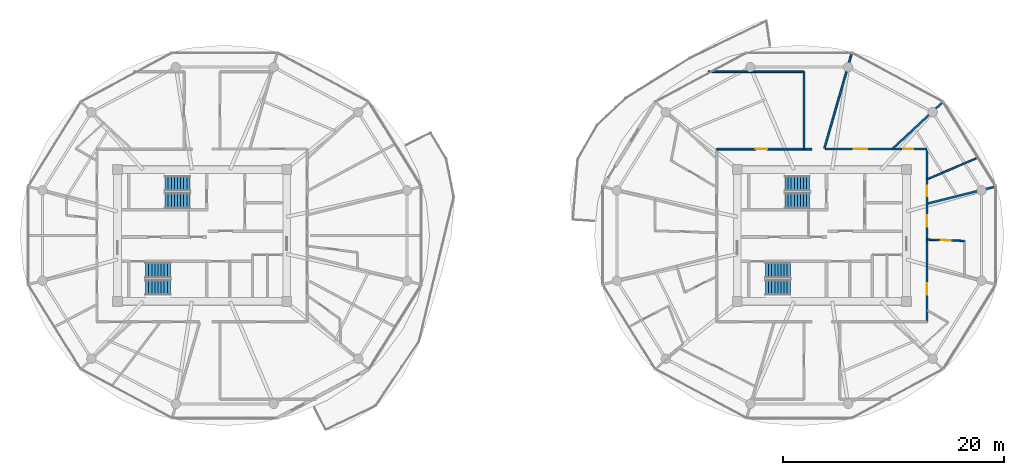
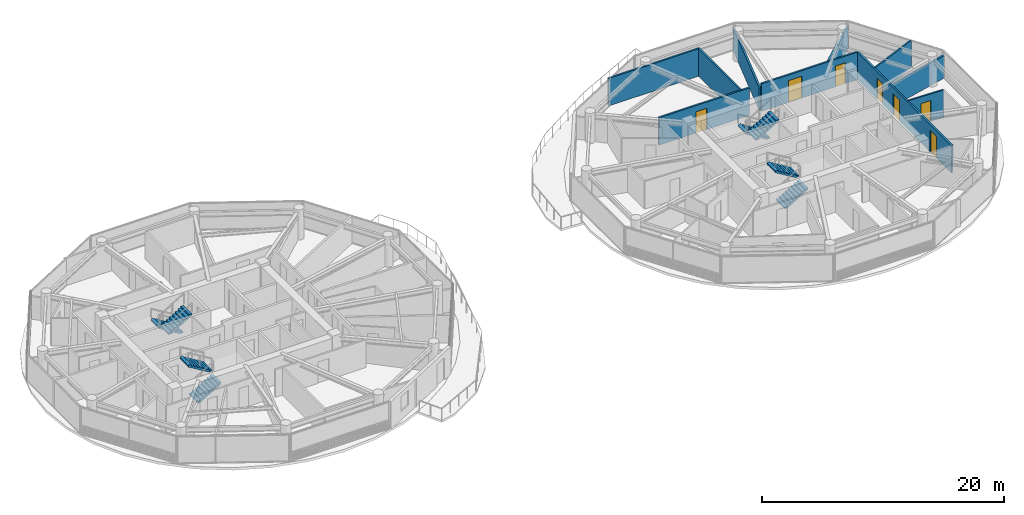
# One storey, part 18 of 22: 10 walls, 8 stair flights, 7 doors, 7 openings, 4 elements without a shape of their own.
"""IFC4 building model written with IfcOpenShell, lengths in metres."""

from ifc_helpers import new_model, si_unit, direction, frame, frame_2d, origin, place, context, subcontext, project, spatial, polyline, rectangle, outline, extrude, source, transform, mapped, material, layer, layer_set, type_object, type_shapes, element, fill, aggregate, save


model = new_model("IFC4")

# Units and contexts
model_context = context("Model", 3, precision=1e-05, world=origin(), true_north=direction((0.0, 1.0)))
body_context = subcontext(model_context, "Body", "Model", "MODEL_VIEW")
ifc_project = project(units=[si_unit("LENGTHUNIT", "METRE"), si_unit("AREAUNIT", "SQUARE_METRE"), si_unit("VOLUMEUNIT", "CUBIC_METRE"), si_unit("PLANEANGLEUNIT", "RADIAN"), si_unit("MASSUNIT", "GRAM", prefix="KILO")], contexts=[model_context])

# Site, building, storey
site_placement = place(None, origin())
site = spatial("IfcSite", under=ifc_project, at=site_placement, CompositionType="ELEMENT")
building_placement = place(site_placement, origin())
building = spatial("IfcBuilding", under=site, at=building_placement, Name="Norrkilde Senior Care Towers", CompositionType="ELEMENT")
storey_placement = place(building_placement, frame((0.0, 0.0, 123.699951171875)))
storey = spatial("IfcBuildingStorey", under=building, at=storey_placement, Name="L38", CompositionType="ELEMENT", Elevation=123.699951171875)

# Wall, openings, doors
ifc_material_1 = material(Name="Gypsum Acoustic Board")
ifc_layer_1 = layer(ifc_material_1, 0.1650390625)
ifc_layer_set_1 = layer_set([ifc_layer_1], Name="Gypsum Acoustic Board")
wall_type_1 = type_object("IfcWallType", Name="Corridor Rated Partition 165", PredefinedType="PARTITIONING", material=ifc_layer_set_1)
shared_shape_1 = source(origin(), body_context, "Body", "SweptSolid", [
    extrude(rectangle(XDim=15.60009765625, YDim=0.1650390625, at=frame_2d((7.800048828125, 0.0))), origin(), (0.0, 0.0, 1.0), 2.775146484375),
])
wall_1_placement = place(storey_placement, frame((37.5, 7.800048828125, 0.0), z_axis=(0.0, 0.0, 1.0), x_axis=(0.0, -1.0, 0.0)))
wall_1 = element("IfcWall", 1, at=wall_1_placement, inside=storey, type_object=wall_type_1, Name="WL-INT-L38-E-CRW-E-0", PredefinedType="PARTITIONING", context=body_context, shape_type="MappedRepresentation", body=[
    mapped(shared_shape_1, transform((0.0, 0.0, 0.0), x_axis=(1.0, 0.0, 0.0), y_axis=(0.0, 1.0, 0.0), z_axis=(0.0, 0.0, 1.0), scale=1.0)),
])
opening_1_placement = place(wall_1_placement, frame((12.09423828125, 0.0, 0.0)))
opening_1 = element("IfcOpeningElement", 2, at=opening_1_placement, cuts=wall_1, Name="Opening D-06", PredefinedType="OPENING", context=body_context, shape_type="SweptSolid", body=[
    extrude(rectangle(XDim=1.050048828125, YDim=2.14990234375, at=frame_2d((0.52490234375, 1.074951171875))), frame((0.0, 0.092529296875, 0.0), z_axis=(0.0, -1.0, 0.0), x_axis=(1.0, 0.0, 0.0)), (0.0, 0.0, 1.0), 0.18505859375),
])
opening_2_placement = place(wall_1_placement, frame((5.971435546875, 0.0, 0.0)))
opening_2 = element("IfcOpeningElement", 3, at=opening_2_placement, cuts=wall_1, Name="Opening D-06", PredefinedType="OPENING", context=body_context, shape_type="SweptSolid", body=[
    extrude(rectangle(XDim=1.050048828125, YDim=2.14990234375, at=frame_2d((0.52490234375, 1.074951171875))), frame((0.0, 0.092529296875, 0.0), z_axis=(0.0, -1.0, 0.0), x_axis=(1.0, 0.0, 0.0)), (0.0, 0.0, 1.0), 0.18505859375),
])
opening_3_placement = place(wall_1_placement, frame((3.32373046875, 0.0, 0.0)))
opening_3 = element("IfcOpeningElement", 4, at=opening_3_placement, cuts=wall_1, Name="Opening D-08", PredefinedType="OPENING", context=body_context, shape_type="SweptSolid", body=[
    extrude(rectangle(XDim=0.919921875, YDim=2.10009765625, at=frame_2d((0.4599609375, 1.050048828125))), frame((0.0, 0.092529296875, 0.0), z_axis=(0.0, -1.0, 0.0), x_axis=(1.0, 0.0, 0.0)), (0.0, 0.0, 1.0), 0.18505859375),
])
ifc_material_2 = material(Name="Nordic Ash Timber", Category="wood")
door_type_1 = type_object("IfcDoorType", Name="Accessible Wet Room Door 920x2100", OperationType="NOTDEFINED", PredefinedType="DOOR", material=ifc_material_2)
shared_shape_2 = source(origin(), body_context, "Body", "SweptSolid", [
    extrude(rectangle(XDim=0.919921875, YDim=2.10009765625, at=frame_2d((0.4599609375, 1.050048828125))), frame((0.0, 0.02490234375, 0.0), z_axis=(0.0, -1.0, 0.0), x_axis=(1.0, 0.0, 0.0)), (0.0, 0.0, 1.0), 0.050048828125),
])
type_shapes(door_type_1, [shared_shape_2])
door_1_placement = place(opening_3_placement, frame((0.919921875, 0.0, 0.0), z_axis=(0.0, 0.0, 1.0), x_axis=(-1.0, 0.0, 0.0)))
door_1 = element("IfcDoor", 5, at=door_1_placement, inside=storey, type_object=door_type_1, Name="L38 Accessible Restroom Door", OperationType="SINGLE_SWING_LEFT", OverallHeight=2.10009765625, OverallWidth=0.919921875, PredefinedType="DOOR", context=body_context, shape_type="MappedRepresentation", body=[
    mapped(shared_shape_2, transform((0.0, 0.0, 0.0), x_axis=(1.0, 0.0, 0.0), y_axis=(0.0, 1.0, 0.0), z_axis=(0.0, 0.0, 1.0), scale=1.0)),
])
fill(opening_3, door_1)
door_type_2 = type_object("IfcDoorType", Name="Apartment Entrance Fire Door 1050x2150", OperationType="NOTDEFINED", PredefinedType="DOOR", material=ifc_material_2)
shared_shape_3 = source(origin(), body_context, "Body", "SweptSolid", [
    extrude(rectangle(XDim=1.050048828125, YDim=2.14990234375, at=frame_2d((0.52490234375, 1.074951171875))), frame((0.0, 0.02490234375, 0.0), z_axis=(0.0, -1.0, 0.0), x_axis=(1.0, 0.0, 0.0)), (0.0, 0.0, 1.0), 0.050048828125),
])
type_shapes(door_type_2, [shared_shape_3])
door_2_placement = place(opening_1_placement, frame((1.050048828125, 0.0, 0.0), z_axis=(0.0, 0.0, 1.0), x_axis=(-1.0, 0.0, 0.0)))
door_2 = element("IfcDoor", 6, at=door_2_placement, inside=storey, type_object=door_type_2, Name="L38 Studio 38D Entrance Door", OperationType="SINGLE_SWING_RIGHT", OverallHeight=2.14990234375, OverallWidth=1.050048828125, PredefinedType="DOOR", context=body_context, shape_type="MappedRepresentation", body=[
    mapped(shared_shape_3, transform((0.0, 0.0, 0.0), x_axis=(1.0, 0.0, 0.0), y_axis=(0.0, 1.0, 0.0), z_axis=(0.0, 0.0, 1.0), scale=1.0)),
])
fill(opening_1, door_2)
door_3_placement = place(opening_2_placement, frame((1.050048828125, 0.0, 0.0), z_axis=(0.0, 0.0, 1.0), x_axis=(-1.0, 0.0, 0.0)))
door_3 = element("IfcDoor", 7, at=door_3_placement, inside=storey, type_object=door_type_2, Name="L38 Studio 38E Entrance Door", OperationType="SINGLE_SWING_LEFT", OverallHeight=2.14990234375, OverallWidth=1.050048828125, PredefinedType="DOOR", context=body_context, shape_type="MappedRepresentation", body=[
    mapped(shared_shape_3, transform((0.0, 0.0, 0.0), x_axis=(1.0, 0.0, 0.0), y_axis=(0.0, 1.0, 0.0), z_axis=(0.0, 0.0, 1.0), scale=1.0)),
])
fill(opening_2, door_3)

# Walls
ifc_layer_2 = layer(ifc_material_1, 0.18994140625)
ifc_layer_set_2 = layer_set([ifc_layer_2], Name="Gypsum Acoustic Board")
wall_type_2 = type_object("IfcWallType", Name="Unit Demising Acoustic Wall 190", PredefinedType="PARTITIONING", material=ifc_layer_set_2)
shared_shape_4 = source(origin(), body_context, "Body", "SweptSolid", [
    extrude(rectangle(XDim=6.186767578125, YDim=0.18994140625, at=frame_2d((3.09326171875, 0.0))), origin(), (0.0, 0.0, 1.0), 2.275146484375),
])
wall_2_placement = place(storey_placement, frame((34.428955078125, 7.8798828125, 0.0), z_axis=(0.0, 0.0, 1.0), x_axis=(0.732501077882, 0.680765870841, 0.0)))
element("IfcWall", 8, at=wall_2_placement, inside=storey, type_object=wall_type_2, Name="WL-INT-L38-E-DEM-01-0", PredefinedType="PARTITIONING", context=body_context, shape_type="MappedRepresentation", body=[
    mapped(shared_shape_4, transform((0.0, 0.0, 0.0), x_axis=(1.0, 0.0, 0.0), y_axis=(0.0, 1.0, 0.0), z_axis=(0.0, 0.0, 1.0), scale=1.0)),
])
shared_shape_5 = source(origin(), body_context, "Body", "SweptSolid", [
    extrude(rectangle(XDim=6.33056640625, YDim=0.18994140625, at=frame_2d((3.165283203125, 0.0))), origin(), (0.0, 0.0, 1.0), 2.275146484375),
])
type_shapes(wall_type_2, [shared_shape_4, shared_shape_5])
wall_3_placement = place(storey_placement, frame((37.580078125, 2.89599609375, 0.0), z_axis=(0.0, 0.0, 1.0), x_axis=(0.97036440661, 0.241646267062, 0.0)))
element("IfcWall", 9, at=wall_3_placement, inside=storey, type_object=wall_type_2, Name="WL-INT-L38-E-DEM-00-0", PredefinedType="PARTITIONING", context=body_context, shape_type="MappedRepresentation", body=[
    mapped(shared_shape_5, transform((0.0, 0.0, 0.0), x_axis=(1.0, 0.0, 0.0), y_axis=(0.0, 1.0, 0.0), z_axis=(0.0, 0.0, 1.0), scale=1.0)),
])

# Wall, opening, door
shared_shape_6 = source(origin(), body_context, "Body", "SweptSolid", [
    extrude(rectangle(XDim=8.60009765625, YDim=0.1650390625, at=frame_2d((4.300048828125, 0.0))), origin(), (0.0, 0.0, 1.0), 2.775146484375),
])
wall_4_placement = place(storey_placement, frame((18.5, 7.800048828125, 0.0), z_axis=(0.0, 0.0, 1.0), x_axis=(1.0, 0.0, 0.0)))
wall_4 = element("IfcWall", 10, at=wall_4_placement, inside=storey, type_object=wall_type_1, Name="WL-INT-L38-E-CRW-N-0", PredefinedType="PARTITIONING", context=body_context, shape_type="MappedRepresentation", body=[
    mapped(shared_shape_6, transform((0.0, 0.0, 0.0), x_axis=(1.0, 0.0, 0.0), y_axis=(0.0, 1.0, 0.0), z_axis=(0.0, 0.0, 1.0), scale=1.0)),
])
opening_4_placement = place(wall_4_placement, frame((3.509033203125, 0.0, 0.0)))
opening_4 = element("IfcOpeningElement", 11, at=opening_4_placement, cuts=wall_4, Name="Opening D-06", PredefinedType="OPENING", context=body_context, shape_type="SweptSolid", body=[
    extrude(rectangle(XDim=1.050048828125, YDim=2.14990234375, at=frame_2d((0.52490234375, 1.074951171875))), frame((0.0, 0.092529296875, 0.0), z_axis=(0.0, -1.0, 0.0), x_axis=(1.0, 0.0, 0.0)), (0.0, 0.0, 1.0), 0.18505859375),
])
door_4_placement = place(opening_4_placement, frame((1.050048828125, 0.0, 0.0), z_axis=(0.0, 0.0, 1.0), x_axis=(-1.0, 0.0, 0.0)))
door_4 = element("IfcDoor", 12, at=door_4_placement, inside=storey, type_object=door_type_2, Name="L38 Reading Lounge NWL Door", OperationType="SINGLE_SWING_RIGHT", OverallHeight=2.14990234375, OverallWidth=1.050048828125, PredefinedType="DOOR", context=body_context, shape_type="MappedRepresentation", body=[
    mapped(shared_shape_3, transform((0.0, 0.0, 0.0), x_axis=(1.0, 0.0, 0.0), y_axis=(0.0, 1.0, 0.0), z_axis=(0.0, 0.0, 1.0), scale=1.0)),
])
fill(opening_4, door_4)

# Wall, openings, doors
shared_shape_7 = source(origin(), body_context, "Body", "SweptSolid", [
    extrude(rectangle(XDim=9.234130859375, YDim=0.1650390625, at=frame_2d((4.6171875, 0.0))), origin(), (0.0, 0.0, 1.0), 2.775146484375),
])
wall_5_placement = place(storey_placement, frame((28.265869140625, 7.800048828125, 0.0), z_axis=(0.0, 0.0, 1.0), x_axis=(1.0, 0.0, 0.0)))
wall_5 = element("IfcWall", 13, at=wall_5_placement, inside=storey, type_object=wall_type_1, Name="WL-INT-L38-E-CRW-N-1", PredefinedType="PARTITIONING", context=body_context, shape_type="MappedRepresentation", body=[
    mapped(shared_shape_7, transform((0.0, 0.0, 0.0), x_axis=(1.0, 0.0, 0.0), y_axis=(0.0, 1.0, 0.0), z_axis=(0.0, 0.0, 1.0), scale=1.0)),
])
opening_5_placement = place(wall_5_placement, frame((7.073974609375, 0.0, 0.0)))
opening_5 = element("IfcOpeningElement", 14, at=opening_5_placement, cuts=wall_5, Name="Opening D-08", PredefinedType="OPENING", context=body_context, shape_type="SweptSolid", body=[
    extrude(rectangle(XDim=0.919921875, YDim=2.10009765625, at=frame_2d((0.4599609375, 1.050048828125))), frame((0.0, 0.092529296875, 0.0), z_axis=(0.0, -1.0, 0.0), x_axis=(1.0, 0.0, 0.0)), (0.0, 0.0, 1.0), 0.18505859375),
])
opening_6_placement = place(wall_5_placement, frame((2.588134765625, 0.0, 0.0)))
opening_6 = element("IfcOpeningElement", 15, at=opening_6_placement, cuts=wall_5, Name="Opening D-05", PredefinedType="OPENING", context=body_context, shape_type="SweptSolid", body=[
    extrude(rectangle(XDim=1.25, YDim=2.199951171875, at=frame_2d((0.625, 1.10009765625))), frame((0.0, 0.092529296875, 0.0), z_axis=(0.0, -1.0, 0.0), x_axis=(1.0, 0.0, 0.0)), (0.0, 0.0, 1.0), 0.18505859375),
])
door_type_3 = type_object("IfcDoorType", Name="Care Bedroom Bariatric Door 1250x2200", OperationType="NOTDEFINED", PredefinedType="DOOR", material=ifc_material_2)
shared_shape_8 = source(origin(), body_context, "Body", "SweptSolid", [
    extrude(rectangle(XDim=1.25, YDim=2.199951171875, at=frame_2d((0.625, 1.10009765625))), frame((0.0, 0.02490234375, 0.0), z_axis=(0.0, -1.0, 0.0), x_axis=(1.0, 0.0, 0.0)), (0.0, 0.0, 1.0), 0.050048828125),
])
type_shapes(door_type_3, [shared_shape_8])
door_5_placement = place(opening_6_placement, frame((1.25, 0.0, 0.0), z_axis=(0.0, 0.0, 1.0), x_axis=(-1.0, 0.0, 0.0)))
door_5 = element("IfcDoor", 16, at=door_5_placement, inside=storey, type_object=door_type_3, Name="L38 Senior Wellness Library Lounge Door", OperationType="SINGLE_SWING_RIGHT", OverallHeight=2.199951171875, OverallWidth=1.25, PredefinedType="DOOR", context=body_context, shape_type="MappedRepresentation", body=[
    mapped(shared_shape_8, transform((0.0, 0.0, 0.0), x_axis=(1.0, 0.0, 0.0), y_axis=(0.0, 1.0, 0.0), z_axis=(0.0, 0.0, 1.0), scale=1.0)),
])
fill(opening_6, door_5)
door_6_placement = place(opening_5_placement, frame((0.919921875, 0.0, 0.0), z_axis=(0.0, 0.0, 1.0), x_axis=(-1.0, 0.0, 0.0)))
door_6 = element("IfcDoor", 17, at=door_6_placement, inside=storey, type_object=door_type_1, Name="L38 Public Restroom Door", OperationType="SINGLE_SWING_RIGHT", OverallHeight=2.10009765625, OverallWidth=0.919921875, PredefinedType="DOOR", context=body_context, shape_type="MappedRepresentation", body=[
    mapped(shared_shape_2, transform((0.0, 0.0, 0.0), x_axis=(1.0, 0.0, 0.0), y_axis=(0.0, 1.0, 0.0), z_axis=(0.0, 0.0, 1.0), scale=1.0)),
])
fill(opening_5, door_6)

# Walls
shared_shape_9 = source(origin(), body_context, "Body", "SweptSolid", [
    extrude(rectangle(XDim=8.9892578125, YDim=0.1650390625, at=frame_2d((4.49462890625, 0.0))), origin(), (0.0, 0.0, 1.0), 2.275146484375),
])
wall_6_placement = place(storey_placement, frame((28.221923828125, 7.8798828125, 0.0), z_axis=(0.0, 0.0, 1.0), x_axis=(0.27702323008, 0.960863221274, 0.0)))
element("IfcWall", 18, at=wall_6_placement, inside=storey, type_object=wall_type_1, Name="WL-INT-L38-E-DEM-02-0", PredefinedType="PARTITIONING", context=body_context, shape_type="MappedRepresentation", body=[
    mapped(shared_shape_9, transform((0.0, 0.0, 0.0), x_axis=(1.0, 0.0, 0.0), y_axis=(0.0, 1.0, 0.0), z_axis=(0.0, 0.0, 1.0), scale=1.0)),
])
shared_shape_10 = source(origin(), body_context, "Body", "SweptSolid", [
    extrude(rectangle(XDim=6.989990234375, YDim=0.1650390625, at=frame_2d((3.4951171875, 0.0))), origin(), (0.0, 0.0, 1.0), 2.775146484375),
])
wall_7_placement = place(storey_placement, frame((26.3798828125, 7.800048828125, 0.0), z_axis=(0.0, 0.0, 1.0), x_axis=(0.0, 1.0, 0.0)))
element("IfcWall", 19, at=wall_7_placement, inside=storey, type_object=wall_type_1, Name="WL-INT-L38-E-PKW-NWL", PredefinedType="PARTITIONING", context=body_context, shape_type="MappedRepresentation", body=[
    mapped(shared_shape_10, transform((0.0, 0.0, 0.0), x_axis=(1.0, 0.0, 0.0), y_axis=(0.0, 1.0, 0.0), z_axis=(0.0, 0.0, 1.0), scale=1.0)),
])
shared_shape_11 = source(origin(), body_context, "Body", "SweptSolid", [
    extrude(rectangle(XDim=8.66943359375, YDim=0.1650390625, at=frame_2d((4.334716796875, 0.0))), origin(), (0.0, 0.0, 1.0), 2.775146484375),
])
type_shapes(wall_type_1, [shared_shape_1, shared_shape_6, shared_shape_7, shared_shape_9, shared_shape_10, shared_shape_11])
wall_8_placement = place(storey_placement, frame((17.71044921875, 14.7900390625, 0.0), z_axis=(0.0, 0.0, 1.0), x_axis=(1.0, 0.0, 0.0)))
element("IfcWall", 20, at=wall_8_placement, inside=storey, type_object=wall_type_1, Name="WL-INT-L38-E-PKH-NWL-0", PredefinedType="PARTITIONING", context=body_context, shape_type="MappedRepresentation", body=[
    mapped(shared_shape_11, transform((0.0, 0.0, 0.0), x_axis=(1.0, 0.0, 0.0), y_axis=(0.0, 1.0, 0.0), z_axis=(0.0, 0.0, 1.0), scale=1.0)),
])

# Wall, opening, door
ifc_layer_3 = layer(ifc_material_1, 0.139892578125)
ifc_layer_set_3 = layer_set([ifc_layer_3], Name="Gypsum Acoustic Board")
wall_type_3 = type_object("IfcWallType", Name="En-suite Wet Room Wall 140", PredefinedType="PARTITIONING", material=ifc_layer_set_3)
shared_shape_12 = source(origin(), body_context, "Body", "SweptSolid", [
    extrude(rectangle(XDim=3.341552734375, YDim=0.139892578125, at=frame_2d((1.6708984375, 0.0))), origin(), (0.0, 0.0, 1.0), 2.775146484375),
])
wall_9_placement = place(storey_placement, frame((37.530029296875, -0.3779296875, 0.0), z_axis=(0.0, 0.0, 1.0), x_axis=(0.999468967034, -0.032585026264, 0.0)))
wall_9 = element("IfcWall", 21, at=wall_9_placement, inside=storey, type_object=wall_type_3, Name="WL-INT-L38-E-ES-11", PredefinedType="PARTITIONING", context=body_context, shape_type="MappedRepresentation", body=[
    mapped(shared_shape_12, transform((0.0, 0.0, 0.0), x_axis=(1.0, 0.0, 0.0), y_axis=(0.0, 1.0, 0.0), z_axis=(0.0, 0.0, 1.0), scale=1.0)),
])
opening_7_placement = place(wall_9_placement, frame((1.2109375, 0.0, 0.0)))
opening_7 = element("IfcOpeningElement", 22, at=opening_7_placement, cuts=wall_9, Name="Opening D-08", PredefinedType="OPENING", context=body_context, shape_type="SweptSolid", body=[
    extrude(rectangle(XDim=0.919921875, YDim=2.10009765625, at=frame_2d((0.4599609375, 1.050048828125))), frame((0.0, 0.079833984375, 0.0), z_axis=(0.0, -1.0, 0.0), x_axis=(1.0, 0.0, 0.0)), (0.0, 0.0, 1.0), 0.159912109375),
])
door_7_placement = place(opening_7_placement, origin())
door_7 = element("IfcDoor", 23, at=door_7_placement, inside=storey, type_object=door_type_1, Name="L38 Studio 38E Bathroom Door", OperationType="SINGLE_SWING_RIGHT", OverallHeight=2.10009765625, OverallWidth=0.919921875, PredefinedType="DOOR", context=body_context, shape_type="MappedRepresentation", body=[
    mapped(shared_shape_2, transform((0.0, 0.0, 0.0), x_axis=(1.0, 0.0, 0.0), y_axis=(0.0, 1.0, 0.0), z_axis=(0.0, 0.0, 1.0), scale=1.0)),
])
fill(opening_7, door_7)

# Wall
shared_shape_13 = source(origin(), body_context, "Body", "SweptSolid", [
    extrude(rectangle(XDim=4.96826171875, YDim=0.139892578125, at=frame_2d((2.484130859375, 0.0))), origin(), (0.0, 0.0, 1.0), 2.775146484375),
])
type_shapes(wall_type_3, [shared_shape_12, shared_shape_13])
wall_10_placement = place(storey_placement, frame((37.530029296875, 5.092041015625, 0.0), z_axis=(0.0, 0.0, 1.0), x_axis=(0.920595165864, 0.39051829738, 0.0)))
element("IfcWall", 24, at=wall_10_placement, inside=storey, type_object=wall_type_3, Name="WL-INT-L38-E-MID-00", PredefinedType="PARTITIONING", context=body_context, shape_type="MappedRepresentation", body=[
    mapped(shared_shape_13, transform((0.0, 0.0, 0.0), x_axis=(1.0, 0.0, 0.0), y_axis=(0.0, 1.0, 0.0), z_axis=(0.0, 0.0, 1.0), scale=1.0)),
])

# Stair, stair flights
ifc_material_3 = material(Name="Concrete C45/55", Category="concrete")
stair_type = type_object("IfcStairType", Name="Core Protected Dogleg Stair Typical 3050", PredefinedType="HALF_TURN_STAIR", material=ifc_material_3)
stair_1_placement = place(storey_placement, origin())
stair_1 = element("IfcStair", 25, at=stair_1_placement, inside=storey, type_object=stair_type, Name="L38 Protected Core Stair W1", PredefinedType="HALF_TURN_STAIR")
stair_flight_type = type_object("IfcStairFlightType", Name="Core Protected Dogleg Stair Typical 3050 Flight", PredefinedType="STRAIGHT", material=ifc_material_3)
stair_flight_1_placement = place(storey_placement, frame((-29.10009765625, 4.699951171875, 0.0), z_axis=(0.0, 0.0, 1.0), x_axis=(-1.0, 0.0, 0.0)))
stair_flight_1 = element("IfcStairFlight", 26, at=stair_flight_1_placement, type_object=stair_flight_type, Name="ST-W1 flight 1", NumberOfRisers=9, NumberOfTreads=8, PredefinedType="STRAIGHT", RiserHeight=0.169444444, TreadLength=0.28, context=body_context, shape_type="SweptSolid", body=[
    extrude(outline(polyline([(0.0, 0.0), (0.0, 0.16943359375), (0.280029296875, 0.16943359375), (0.280029296875, 0.3388671875), (0.56005859375, 0.3388671875), (0.56005859375, 0.50830078125), (0.840087890625, 0.50830078125), (0.840087890625, 0.677734375), (1.1201171875, 0.677734375), (1.1201171875, 0.84716796875), (1.39990234375, 0.84716796875), (1.39990234375, 1.0166015625), (1.679931640625, 1.0166015625), (1.679931640625, 1.18603515625), (1.9599609375, 1.18603515625), (1.9599609375, 1.35546875), (2.239990234375, 1.35546875), (2.239990234375, 1.52490234375), (2.239990234375, 1.180419921875), (0.28955078125, 0.0), (0.0, 0.0)])), frame((0.0, 0.699951171875, 0.0), z_axis=(0.0, -1.0, 0.0), x_axis=(1.0, 0.0, 0.0)), (0.0, 0.0, 1.0), 1.39990234375),
])
stair_flight_2_placement = place(storey_placement, frame((-31.340087890625, 3.14990234375, 1.525146484375), z_axis=(0.0, 0.0, 1.0), x_axis=(1.0, 0.0, 0.0)))
stair_flight_2 = element("IfcStairFlight", 27, at=stair_flight_2_placement, type_object=stair_flight_type, Name="ST-W1 flight 2", NumberOfRisers=9, NumberOfTreads=8, PredefinedType="STRAIGHT", RiserHeight=0.169444444, TreadLength=0.28, context=body_context, shape_type="SweptSolid", body=[
    extrude(outline(polyline([(0.0, 0.0), (0.0, 0.16943359375), (0.280029296875, 0.16943359375), (0.280029296875, 0.3388671875), (0.56005859375, 0.3388671875), (0.56005859375, 0.50830078125), (0.840087890625, 0.50830078125), (0.840087890625, 0.677734375), (1.1201171875, 0.677734375), (1.1201171875, 0.84716796875), (1.39990234375, 0.84716796875), (1.39990234375, 1.0166015625), (1.679931640625, 1.0166015625), (1.679931640625, 1.18603515625), (1.9599609375, 1.18603515625), (1.9599609375, 1.35546875), (2.239990234375, 1.35546875), (2.239990234375, 1.52490234375), (2.239990234375, 1.180419921875), (0.28955078125, 0.0), (0.0, 0.0)])), frame((0.0, 0.699951171875, 0.0), z_axis=(0.0, -1.0, 0.0), x_axis=(1.0, 0.0, 0.0)), (0.0, 0.0, 1.0), 1.39990234375),
])
aggregate(stair_1, [stair_flight_1, stair_flight_2])

stair_2_placement = place(storey_placement, origin())
stair_2 = element("IfcStair", 28, at=stair_2_placement, inside=storey, type_object=stair_type, Name="L38 Protected Core Stair W2", PredefinedType="HALF_TURN_STAIR")
stair_flight_3_placement = place(storey_placement, frame((-33.10009765625, -4.699951171875, 0.0), z_axis=(0.0, 0.0, 1.0), x_axis=(1.0, 0.0, 0.0)))
stair_flight_3 = element("IfcStairFlight", 29, at=stair_flight_3_placement, type_object=stair_flight_type, Name="ST-W2 flight 1", NumberOfRisers=9, NumberOfTreads=8, PredefinedType="STRAIGHT", RiserHeight=0.169444444, TreadLength=0.28, context=body_context, shape_type="SweptSolid", body=[
    extrude(outline(polyline([(0.0, 0.0), (0.0, 0.16943359375), (0.280029296875, 0.16943359375), (0.280029296875, 0.3388671875), (0.56005859375, 0.3388671875), (0.56005859375, 0.50830078125), (0.840087890625, 0.50830078125), (0.840087890625, 0.677734375), (1.1201171875, 0.677734375), (1.1201171875, 0.84716796875), (1.39990234375, 0.84716796875), (1.39990234375, 1.0166015625), (1.679931640625, 1.0166015625), (1.679931640625, 1.18603515625), (1.9599609375, 1.18603515625), (1.9599609375, 1.35546875), (2.239990234375, 1.35546875), (2.239990234375, 1.52490234375), (2.239990234375, 1.180419921875), (0.28955078125, 0.0), (0.0, 0.0)])), frame((0.0, 0.699951171875, 0.0), z_axis=(0.0, -1.0, 0.0), x_axis=(1.0, 0.0, 0.0)), (0.0, 0.0, 1.0), 1.39990234375),
])
stair_flight_4_placement = place(storey_placement, frame((-30.860107421875, -3.14990234375, 1.525146484375), z_axis=(0.0, 0.0, 1.0), x_axis=(-1.0, 0.0, 0.0)))
stair_flight_4 = element("IfcStairFlight", 30, at=stair_flight_4_placement, type_object=stair_flight_type, Name="ST-W2 flight 2", NumberOfRisers=9, NumberOfTreads=8, PredefinedType="STRAIGHT", RiserHeight=0.169444444, TreadLength=0.28, context=body_context, shape_type="SweptSolid", body=[
    extrude(outline(polyline([(0.0, 0.0), (0.0, 0.16943359375), (0.280029296875, 0.16943359375), (0.280029296875, 0.3388671875), (0.56005859375, 0.3388671875), (0.56005859375, 0.50830078125), (0.840087890625, 0.50830078125), (0.840087890625, 0.677734375), (1.1201171875, 0.677734375), (1.1201171875, 0.84716796875), (1.39990234375, 0.84716796875), (1.39990234375, 1.0166015625), (1.679931640625, 1.0166015625), (1.679931640625, 1.18603515625), (1.9599609375, 1.18603515625), (1.9599609375, 1.35546875), (2.239990234375, 1.35546875), (2.239990234375, 1.52490234375), (2.239990234375, 1.180419921875), (0.28955078125, 0.0), (0.0, 0.0)])), frame((0.0, 0.699951171875, 0.0), z_axis=(0.0, -1.0, 0.0), x_axis=(1.0, 0.0, 0.0)), (0.0, 0.0, 1.0), 1.39990234375),
])
aggregate(stair_2, [stair_flight_3, stair_flight_4])

stair_3_placement = place(storey_placement, origin())
stair_3 = element("IfcStair", 31, at=stair_3_placement, inside=storey, type_object=stair_type, Name="L38 Protected Core Stair E1", PredefinedType="HALF_TURN_STAIR")
stair_flight_5_placement = place(storey_placement, frame((26.89990234375, 4.699951171875, 0.0), z_axis=(0.0, 0.0, 1.0), x_axis=(-1.0, 0.0, 0.0)))
stair_flight_5 = element("IfcStairFlight", 32, at=stair_flight_5_placement, type_object=stair_flight_type, Name="ST-E1 flight 1", NumberOfRisers=9, NumberOfTreads=8, PredefinedType="STRAIGHT", RiserHeight=0.169444444, TreadLength=0.28, context=body_context, shape_type="SweptSolid", body=[
    extrude(outline(polyline([(0.0, 0.0), (0.0, 0.16943359375), (0.280029296875, 0.16943359375), (0.280029296875, 0.3388671875), (0.56005859375, 0.3388671875), (0.56005859375, 0.50830078125), (0.840087890625, 0.50830078125), (0.840087890625, 0.677734375), (1.1201171875, 0.677734375), (1.1201171875, 0.84716796875), (1.39990234375, 0.84716796875), (1.39990234375, 1.0166015625), (1.679931640625, 1.0166015625), (1.679931640625, 1.18603515625), (1.9599609375, 1.18603515625), (1.9599609375, 1.35546875), (2.239990234375, 1.35546875), (2.239990234375, 1.52490234375), (2.239990234375, 1.180419921875), (0.28955078125, 0.0), (0.0, 0.0)])), frame((0.0, 0.699951171875, 0.0), z_axis=(0.0, -1.0, 0.0), x_axis=(1.0, 0.0, 0.0)), (0.0, 0.0, 1.0), 1.39990234375),
])
stair_flight_6_placement = place(storey_placement, frame((24.659912109375, 3.14990234375, 1.525146484375), z_axis=(0.0, 0.0, 1.0), x_axis=(1.0, 0.0, 0.0)))
stair_flight_6 = element("IfcStairFlight", 33, at=stair_flight_6_placement, type_object=stair_flight_type, Name="ST-E1 flight 2", NumberOfRisers=9, NumberOfTreads=8, PredefinedType="STRAIGHT", RiserHeight=0.169444444, TreadLength=0.28, context=body_context, shape_type="SweptSolid", body=[
    extrude(outline(polyline([(0.0, 0.0), (0.0, 0.16943359375), (0.280029296875, 0.16943359375), (0.280029296875, 0.3388671875), (0.56005859375, 0.3388671875), (0.56005859375, 0.50830078125), (0.840087890625, 0.50830078125), (0.840087890625, 0.677734375), (1.1201171875, 0.677734375), (1.1201171875, 0.84716796875), (1.39990234375, 0.84716796875), (1.39990234375, 1.0166015625), (1.679931640625, 1.0166015625), (1.679931640625, 1.18603515625), (1.9599609375, 1.18603515625), (1.9599609375, 1.35546875), (2.239990234375, 1.35546875), (2.239990234375, 1.52490234375), (2.239990234375, 1.180419921875), (0.28955078125, 0.0), (0.0, 0.0)])), frame((0.0, 0.699951171875, 0.0), z_axis=(0.0, -1.0, 0.0), x_axis=(1.0, 0.0, 0.0)), (0.0, 0.0, 1.0), 1.39990234375),
])
aggregate(stair_3, [stair_flight_5, stair_flight_6])

stair_4_placement = place(storey_placement, origin())
stair_4 = element("IfcStair", 34, at=stair_4_placement, inside=storey, type_object=stair_type, Name="L38 Protected Core Stair E2", PredefinedType="HALF_TURN_STAIR")
stair_flight_7_placement = place(storey_placement, frame((22.89990234375, -4.699951171875, 0.0), z_axis=(0.0, 0.0, 1.0), x_axis=(1.0, 0.0, 0.0)))
stair_flight_7 = element("IfcStairFlight", 35, at=stair_flight_7_placement, type_object=stair_flight_type, Name="ST-E2 flight 1", NumberOfRisers=9, NumberOfTreads=8, PredefinedType="STRAIGHT", RiserHeight=0.169444444, TreadLength=0.28, context=body_context, shape_type="SweptSolid", body=[
    extrude(outline(polyline([(0.0, 0.0), (0.0, 0.16943359375), (0.280029296875, 0.16943359375), (0.280029296875, 0.3388671875), (0.56005859375, 0.3388671875), (0.56005859375, 0.50830078125), (0.840087890625, 0.50830078125), (0.840087890625, 0.677734375), (1.1201171875, 0.677734375), (1.1201171875, 0.84716796875), (1.39990234375, 0.84716796875), (1.39990234375, 1.0166015625), (1.679931640625, 1.0166015625), (1.679931640625, 1.18603515625), (1.9599609375, 1.18603515625), (1.9599609375, 1.35546875), (2.239990234375, 1.35546875), (2.239990234375, 1.52490234375), (2.239990234375, 1.180419921875), (0.28955078125, 0.0), (0.0, 0.0)])), frame((0.0, 0.699951171875, 0.0), z_axis=(0.0, -1.0, 0.0), x_axis=(1.0, 0.0, 0.0)), (0.0, 0.0, 1.0), 1.39990234375),
])
stair_flight_8_placement = place(storey_placement, frame((25.139892578125, -3.14990234375, 1.525146484375), z_axis=(0.0, 0.0, 1.0), x_axis=(-1.0, 0.0, 0.0)))
stair_flight_8 = element("IfcStairFlight", 36, at=stair_flight_8_placement, type_object=stair_flight_type, Name="ST-E2 flight 2", NumberOfRisers=9, NumberOfTreads=8, PredefinedType="STRAIGHT", RiserHeight=0.169444444, TreadLength=0.28, context=body_context, shape_type="SweptSolid", body=[
    extrude(outline(polyline([(0.0, 0.0), (0.0, 0.16943359375), (0.280029296875, 0.16943359375), (0.280029296875, 0.3388671875), (0.56005859375, 0.3388671875), (0.56005859375, 0.50830078125), (0.840087890625, 0.50830078125), (0.840087890625, 0.677734375), (1.1201171875, 0.677734375), (1.1201171875, 0.84716796875), (1.39990234375, 0.84716796875), (1.39990234375, 1.0166015625), (1.679931640625, 1.0166015625), (1.679931640625, 1.18603515625), (1.9599609375, 1.18603515625), (1.9599609375, 1.35546875), (2.239990234375, 1.35546875), (2.239990234375, 1.52490234375), (2.239990234375, 1.180419921875), (0.28955078125, 0.0), (0.0, 0.0)])), frame((0.0, 0.699951171875, 0.0), z_axis=(0.0, -1.0, 0.0), x_axis=(1.0, 0.0, 0.0)), (0.0, 0.0, 1.0), 1.39990234375),
])
aggregate(stair_4, [stair_flight_7, stair_flight_8])

save(model, "model.ifc")
